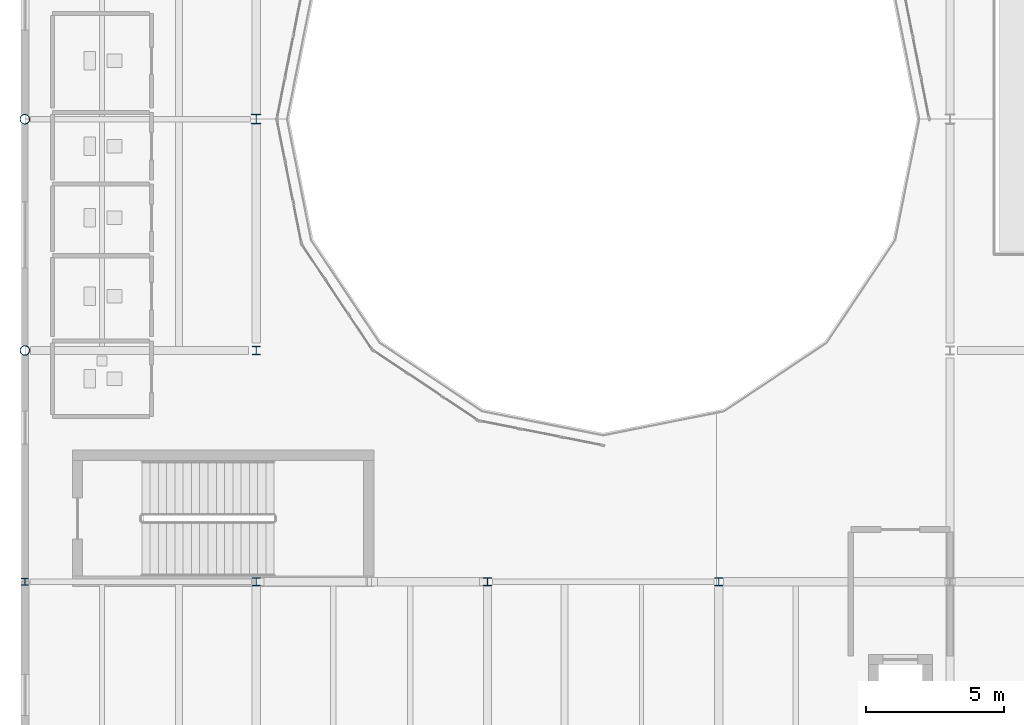
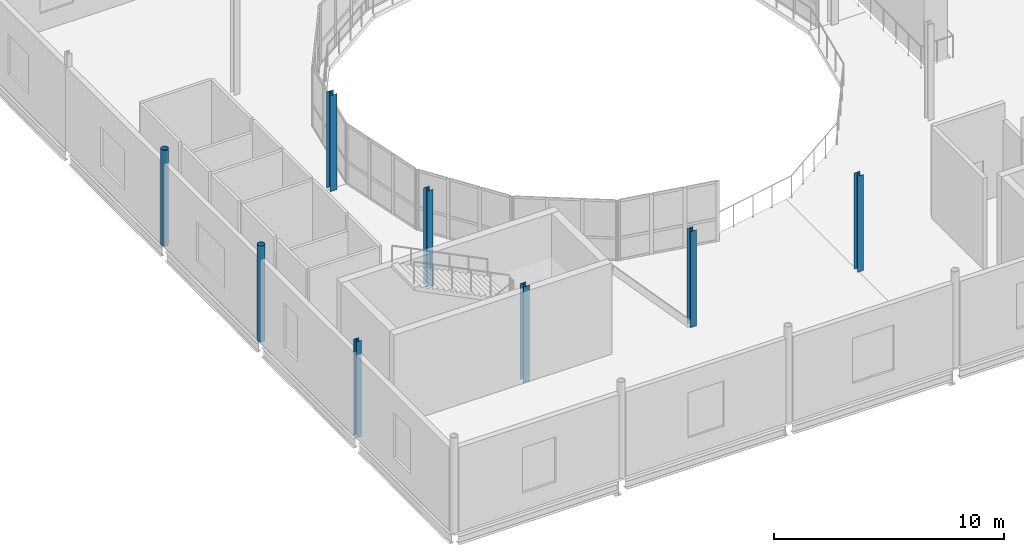
# One storey, part 3 of 91: 8 columns.
"""IFC4 building model written with IfcOpenShell, lengths in metres."""

import ifcopenshell
import ifcopenshell.guid

model = None  # the IFC model being written
_history = None  # IfcOwnerHistory: only IFC2X3 demands one
_inside = {}  # id of a spatial element -> (the spatial element, [elements in it])
_under = {}  # id of a project, library or spatial element -> (it, [spatial elements below it])
_declared = {}  # id of a project -> (the project, [libraries it declares])
_typed = {}  # id of a type object -> (the type object, [elements of that type])
_made_of = {}  # id of a material, layer set ... -> (it, [elements and type objects made of it])


def new_model(schema):
    """Start an empty IFC model of exactly this schema.

    Asked for "IFC4X3", IfcOpenShell would pick the latest addendum, in which some entities
    have other attributes; the version numbers below select the first issue.
    IFC2X3 requires an IfcOwnerHistory on every rooted entity: one is made here for all.
    """
    global model, _history
    if schema == "IFC4X3":
        model = ifcopenshell.file(schema_version=(4, 3, 0, 0))
    else:
        model = ifcopenshell.file(schema=schema)
    _inside.clear()
    _under.clear()
    _declared.clear()
    _typed.clear()
    _made_of.clear()
    _history = None
    if model.schema == "IFC2X3":
        org = make("IfcOrganization", Name="unknown")
        user = make(
            "IfcPersonAndOrganization",
            ThePerson=make("IfcPerson", FamilyName="unknown"),
            TheOrganization=org,
        )
        app = make(
            "IfcApplication",
            ApplicationDeveloper=org,
            Version="unknown",
            ApplicationFullName="unknown",
            ApplicationIdentifier="unknown",
        )
        _history = make(
            "IfcOwnerHistory",
            OwningUser=user,
            OwningApplication=app,
            ChangeAction="ADDED",
            CreationDate=0,
        )
    return model


def make(cls, **values):
    """One entity of the class cls with the attributes given. An attribute that is None is left unset."""
    return model.create_entity(
        cls, **{name: value for name, value in values.items() if value is not None}
    )


def rooted(cls, **values):
    """An entity with a GlobalId (a new one), such as an element, a storey or a relation."""
    return make(cls, GlobalId=ifcopenshell.guid.new(), OwnerHistory=_history, **values)


def si_unit(unit_type, name, prefix=None):
    """IfcSIUnit, for example si_unit("LENGTHUNIT", "METRE", prefix="MILLI")."""
    return make("IfcSIUnit", UnitType=unit_type, Prefix=prefix, Name=name)


def assignment(units):
    """IfcUnitAssignment: the units of a project."""
    return None if units is None else make("IfcUnitAssignment", Units=units)


def point(xyz):
    """IfcCartesianPoint."""
    return None if xyz is None else make("IfcCartesianPoint", Coordinates=xyz)


def direction(xyz):
    """IfcDirection."""
    return None if xyz is None else make("IfcDirection", DirectionRatios=xyz)


def frame(location, z_axis=None, x_axis=None):
    """IfcAxis2Placement3D, a coordinate frame: its origin and axes. An axis left out is left unset."""
    return make(
        "IfcAxis2Placement3D",
        Location=point(location),
        Axis=direction(z_axis),
        RefDirection=direction(x_axis),
    )


def frame_2d(location, x_axis=None):
    """IfcAxis2Placement2D, a coordinate frame in the plane: its origin and x axis."""
    return make(
        "IfcAxis2Placement2D", Location=point(location), RefDirection=direction(x_axis)
    )


def origin():
    """The frame at (0, 0, 0) with its axes left unset."""
    return frame((0.0, 0.0, 0.0))


def origin_2d():
    """The frame at (0, 0) in the plane with its x axis left unset."""
    return frame_2d((0.0, 0.0))


def place(relative_to, where):
    """IfcLocalPlacement: puts the frame where relative to a parent placement (None: the world)."""
    return make(
        "IfcLocalPlacement", PlacementRelTo=relative_to, RelativePlacement=where
    )


def context(
    kind, dimensions, precision=None, world=None, true_north=None, identifier=None
):
    """IfcGeometricRepresentationContext, for example the 3D "Model" context."""
    return make(
        "IfcGeometricRepresentationContext",
        ContextIdentifier=identifier,
        ContextType=kind,
        CoordinateSpaceDimension=dimensions,
        Precision=precision,
        WorldCoordinateSystem=world,
        TrueNorth=true_north,
    )


def subcontext(parent, identifier, kind, view, scale=None):
    """IfcGeometricRepresentationSubContext, for example "Body" below "Model"."""
    return make(
        "IfcGeometricRepresentationSubContext",
        ContextIdentifier=identifier,
        ContextType=kind,
        ParentContext=parent,
        TargetScale=scale,
        TargetView=view,
    )


def project(units=None, contexts=None):
    """IfcProject with its units and contexts."""
    return rooted(
        "IfcProject",
        Name="project",
        RepresentationContexts=contexts,
        UnitsInContext=assignment(units),
    )


def spatial(cls, under=None, at=None, **own):
    """A site, building, storey or space (cls), placed at a placement, below another one or the project."""
    s = rooted(cls, ObjectPlacement=at, **own)
    if under is not None:
        _under.setdefault(under.id(), (under, []))[1].append(s)
    return s


def profile(cls, at=None, kind="AREA", **sizes):
    """A parametric profile (cls). Its sizes go by their IFC names, for example OverallWidth=200.0."""
    return make(cls, ProfileType=kind, Position=at, **sizes)


def hollow_circle(**sizes):
    """IfcCircleHollowProfileDef."""
    return profile("IfcCircleHollowProfileDef", **sizes)


def i_section(**sizes):
    """IfcIShapeProfileDef."""
    return profile("IfcIShapeProfileDef", **sizes)


def extrude(swept, where, along, depth):
    """IfcExtrudedAreaSolid: the profile swept, set in the frame where, extruded along a direction by depth."""
    return make(
        "IfcExtrudedAreaSolid",
        SweptArea=swept,
        Position=where,
        ExtrudedDirection=direction(along),
        Depth=depth,
    )


def shape(context_of_items, identifier, shape_type, items):
    """IfcShapeRepresentation: the items that make up one representation, for example the "Body"."""
    return make(
        "IfcShapeRepresentation",
        ContextOfItems=context_of_items,
        RepresentationIdentifier=identifier,
        RepresentationType=shape_type,
        Items=items,
    )


def material(Name=None, Category=None):
    """IfcMaterial."""
    return make("IfcMaterial", Name=Name, Category=Category)


def material_profile(
    of_material, cross_section, Name=None, Category=None, Priority=None
):
    """IfcMaterialProfile: a cross section and its material."""
    return make(
        "IfcMaterialProfile",
        Name=Name,
        Material=of_material,
        Profile=cross_section,
        Priority=Priority,
        Category=Category,
    )


def profile_set(profiles, Name=None, composite=None):
    """IfcMaterialProfileSet."""
    return make(
        "IfcMaterialProfileSet",
        Name=Name,
        MaterialProfiles=profiles,
        CompositeProfile=composite,
    )


def made_of(thing, what):
    """Note that an element or type object is made of a material, layer set ...; save() writes the relation."""
    if what is not None:
        _made_of.setdefault(what.id(), (what, []))[1].append(thing)
    return thing


def type_object(cls, material=None, **own):
    """A type object (cls), such as IfcWallType, which elements share."""
    return made_of(rooted(cls, **own), material)


def element(
    cls,
    number,
    at=None,
    inside=None,
    cuts=None,
    type_object=None,
    material=None,
    context=None,
    identifier="Body",
    shape_type=None,
    held_by="IfcProductDefinitionShape",
    body=None,
    shapes=None,
    **own,
):
    """One element of the class cls, such as IfcWall. Its Tag is "e" and its number.

    at: its placement. inside: the storey or other place that contains it. cuts: it is an
    opening in that element (IfcRelVoidsElement). A single representation is given by context,
    identifier, shape_type and body (its items); several are given by shapes. held_by: the class
    of the entity that holds the representations. save() writes the other relations.
    """
    e = rooted(cls, Tag="e%d" % number, ObjectPlacement=at, **own)
    if body is not None:
        shapes = [shape(context, identifier, shape_type, body)]
    if shapes is not None:
        e.Representation = make(held_by, Representations=shapes)
    if inside is not None:
        _inside.setdefault(inside.id(), (inside, []))[1].append(e)
    if cuts is not None:
        rooted(
            "IfcRelVoidsElement", RelatingBuildingElement=cuts, RelatedOpeningElement=e
        )
    if type_object is not None:
        _typed.setdefault(type_object.id(), (type_object, []))[1].append(e)
    return made_of(e, material)


def aggregate(whole, parts):
    """IfcRelAggregates: a whole, such as a stair, and the parts it consists of."""
    return rooted("IfcRelAggregates", RelatingObject=whole, RelatedObjects=parts)


def save(model, path):
    """Write the relations noted so far, then the file.

    IfcRelAggregates (storeys below a building ...), IfcRelContainedInSpatialStructure (elements
    in a storey), IfcRelDefinesByType, IfcRelAssociatesMaterial and IfcRelDeclares: one each for
    every whole, place, type object, material and project.
    """
    for whole, parts in _under.values():
        aggregate(whole, parts)
    for where, things in _inside.values():
        rooted(
            "IfcRelContainedInSpatialStructure",
            RelatedElements=things,
            RelatingStructure=where,
        )
    for kind, things in _typed.values():
        rooted("IfcRelDefinesByType", RelatedObjects=things, RelatingType=kind)
    for what, things in _made_of.values():
        rooted("IfcRelAssociatesMaterial", RelatedObjects=things, RelatingMaterial=what)
    for by, libraries in _declared.values():
        rooted("IfcRelDeclares", RelatingContext=by, RelatedDefinitions=libraries)
    model.write(path)


model = new_model("IFC4")

# Units and contexts
model_context = context("Model", 3, precision=1e-05, world=origin(), true_north=direction((0.0, 1.0)))
body_context = subcontext(model_context, "Body", "Model", "MODEL_VIEW")
ifc_project = project(units=[si_unit("LENGTHUNIT", "METRE"), si_unit("AREAUNIT", "SQUARE_METRE"), si_unit("VOLUMEUNIT", "CUBIC_METRE"), si_unit("PLANEANGLEUNIT", "RADIAN"), si_unit("MASSUNIT", "GRAM", prefix="KILO"), si_unit("THERMODYNAMICTEMPERATUREUNIT", "KELVIN")], contexts=[model_context])

# Site, building, storey
site_placement = place(None, origin())
site = spatial("IfcSite", under=ifc_project, at=site_placement, CompositionType="ELEMENT")
building_placement = place(site_placement, origin())
building = spatial("IfcBuilding", under=site, at=building_placement, Name="Lustrewick Department Store", CompositionType="ELEMENT")
storey_placement = place(building_placement, frame((0.0, 0.0, 21.60009765625)))
storey = spatial("IfcBuildingStorey", under=building, at=storey_placement, Name="L05", CompositionType="ELEMENT", Elevation=21.60009765625)

# Columns
ifc_material = material(Name="Structural steel Q355B", Category="steel")
ifc_material_profile_1 = material_profile(ifc_material, i_section(OverallWidth=0.347900390625, OverallDepth=0.343994140625, WebThickness=0.010009765625, FlangeThickness=0.01611328125, FilletRadius=0.02001953125, at=origin_2d()), Name="HW 344x348x10x16")
ifc_profile_set_1 = profile_set([ifc_material_profile_1], Name="Structural steel Q355B")
column_type_1 = type_object("IfcColumnType", Name="C14", PredefinedType="COLUMN", material=ifc_profile_set_1)
column_1_placement = place(storey_placement, frame((16.800048828125, 67.199951171875, 0.0), z_axis=(0.0, 0.0, 1.0), x_axis=(1.0, 0.0, 0.0)))
element("IfcColumn", 1, at=column_1_placement, inside=storey, type_object=column_type_1, Name="L05 V1 Column C14", PredefinedType="COLUMN", context=body_context, shape_type="SweptSolid", body=[
    extrude(i_section(OverallWidth=0.347900390625, OverallDepth=0.343994140625, WebThickness=0.010009765625, FlangeThickness=0.01611328125, FilletRadius=0.02001953125, at=origin_2d()), origin(), (0.0, 0.0, 1.0), 5.099853515625),
])
ifc_material_profile_2 = material_profile(ifc_material, i_section(OverallWidth=0.300048828125, OverallDepth=0.300048828125, WebThickness=0.010009765625, FlangeThickness=0.014892578125, FilletRadius=0.01806640625, at=origin_2d()), Name="HW 300x300x10x15")
ifc_profile_set_2 = profile_set([ifc_material_profile_2], Name="Structural steel Q355B")
column_type_2 = type_object("IfcColumnType", Name="C15", PredefinedType="COLUMN", material=ifc_profile_set_2)
for number, where, z_axis, x_axis, name in (
    (2, (16.800048828125, 50.39990234375, 0.0), (0.0, 0.0, 1.0), (1.0, 0.0, 0.0), "L05 V1 Column C15"),
    (3, (16.800048828125, 58.800048828125, 0.0), (0.0, 0.0, 1.0), (1.0, 0.0, 0.0), "L05 V1 Column C15"),
    (4, (25.199951171875, 50.39990234375, 0.0), (0.0, 0.0, 1.0), (1.0, 0.0, 0.0), "L05 V1 Column C15"),
    (5, (33.60009765625, 50.39990234375, 0.0), (0.0, 0.0, 1.0), (1.0, 0.0, 0.0), "L05 V1 Column C15"),
):
    element("IfcColumn", number, at=place(storey_placement, frame(where, z_axis=z_axis, x_axis=x_axis)), inside=storey, type_object=column_type_2, Name=name, PredefinedType="COLUMN", context=body_context, shape_type="SweptSolid", body=[
        extrude(i_section(OverallWidth=0.300048828125, OverallDepth=0.300048828125, WebThickness=0.010009765625, FlangeThickness=0.014892578125, FilletRadius=0.01806640625, at=origin_2d()), origin(), (0.0, 0.0, 1.0), 5.099853515625),
    ])
ifc_material_profile_3 = material_profile(ifc_material, hollow_circle(Radius=0.177978515625, WallThickness=0.013916015625, at=origin_2d()), Name="CHS 356x14")
ifc_profile_set_3 = profile_set([ifc_material_profile_3], Name="Structural steel Q355B")
column_type_3 = type_object("IfcColumnType", Name="CE05", PredefinedType="COLUMN", material=ifc_profile_set_3)
for number, where, z_axis, x_axis, name in (
    (6, (8.39990234375, 58.800048828125, 0.0), (0.0, 0.0, 1.0), (1.0, 0.0, 0.0), "L05 V1 Column CE05"),
    (7, (8.39990234375, 67.199951171875, 0.0), (0.0, 0.0, 1.0), (1.0, 0.0, 0.0), "L05 V1 Column CE05"),
):
    element("IfcColumn", number, at=place(storey_placement, frame(where, z_axis=z_axis, x_axis=x_axis)), inside=storey, type_object=column_type_3, Name=name, PredefinedType="COLUMN", context=body_context, shape_type="SweptSolid", body=[
        extrude(hollow_circle(Radius=0.177978515625, WallThickness=0.013916015625, at=origin_2d()), origin(), (0.0, 0.0, 1.0), 5.099853515625),
    ])
ifc_material_profile_4 = material_profile(ifc_material, i_section(OverallWidth=0.25, OverallDepth=0.25, WebThickness=0.009033203125, FlangeThickness=0.013916015625, FilletRadius=0.01611328125, at=origin_2d()), Name="HW 250x250x9x14")
ifc_profile_set_4 = profile_set([ifc_material_profile_4], Name="Structural steel Q355B")
column_type_4 = type_object("IfcColumnType", Name="CE08", PredefinedType="COLUMN", material=ifc_profile_set_4)
column_2_placement = place(storey_placement, frame((8.39990234375, 50.39990234375, 0.0), z_axis=(0.0, 0.0, 1.0), x_axis=(1.0, 0.0, 0.0)))
element("IfcColumn", 8, at=column_2_placement, inside=storey, type_object=column_type_4, Name="L05 V1 Column CE08", PredefinedType="COLUMN", context=body_context, shape_type="SweptSolid", body=[
    extrude(i_section(OverallWidth=0.25, OverallDepth=0.25, WebThickness=0.009033203125, FlangeThickness=0.013916015625, FilletRadius=0.01611328125, at=origin_2d()), origin(), (0.0, 0.0, 1.0), 5.099853515625),
])

save(model, "model.ifc")
